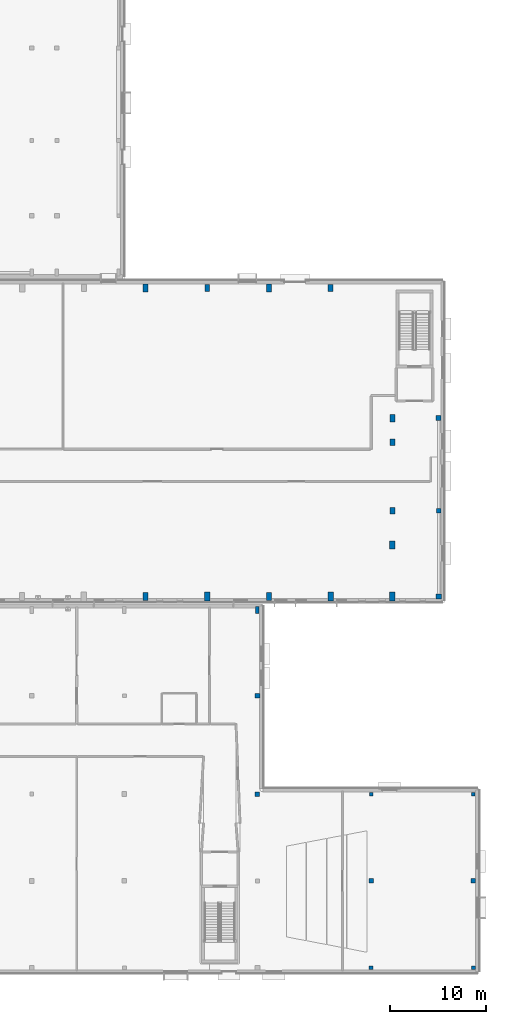
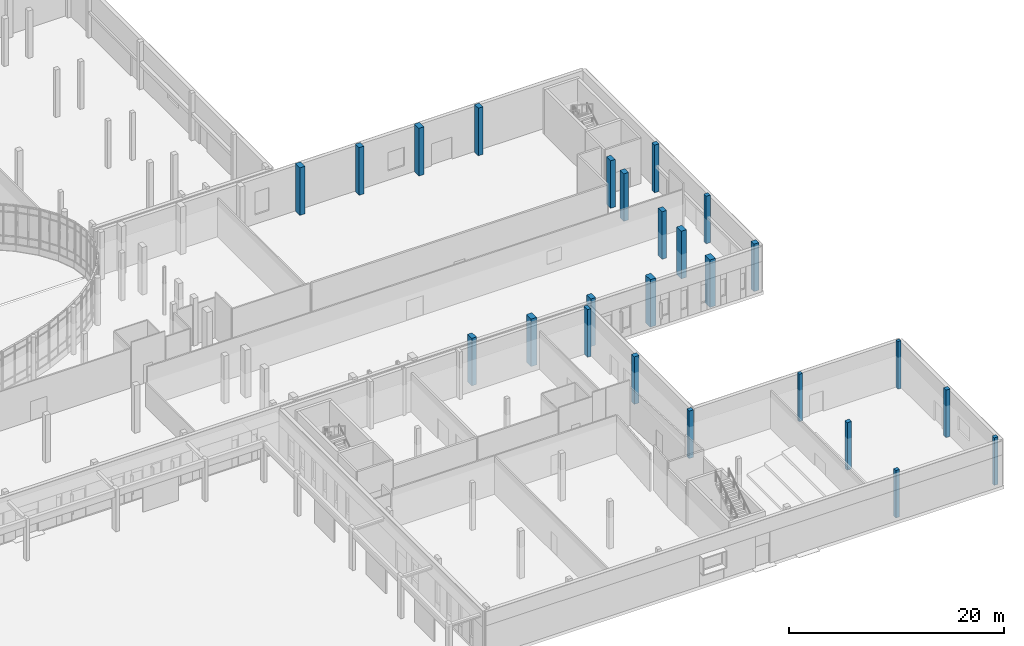
# One storey, part 8 of 84: 25 columns.
"""IFC4 building model written with IfcOpenShell, lengths in metres."""

from ifc_helpers import new_model, si_unit, direction, frame, origin, origin_2d, place, context, subcontext, project, spatial, rectangle, extrude, material, material_profile, profile_set, type_object, element, save


model = new_model("IFC4")

# Units and contexts
model_context = context("Model", 3, precision=1e-05, world=origin(), true_north=direction((0.0, 1.0)))
body_context = subcontext(model_context, "Body", "Model", "MODEL_VIEW")
ifc_project = project(units=[si_unit("LENGTHUNIT", "METRE"), si_unit("AREAUNIT", "SQUARE_METRE"), si_unit("VOLUMEUNIT", "CUBIC_METRE"), si_unit("PLANEANGLEUNIT", "RADIAN"), si_unit("MASSUNIT", "GRAM", prefix="KILO")], contexts=[model_context])

# Site, building, storey
site_placement = place(None, origin())
site = spatial("IfcSite", under=ifc_project, at=site_placement, CompositionType="ELEMENT")
building_placement = place(site_placement, origin())
building = spatial("IfcBuilding", under=site, at=building_placement, Name="Mzevani Central Library", CompositionType="ELEMENT")
storey_placement = place(building_placement, origin())
storey = spatial("IfcBuildingStorey", under=building, at=storey_placement, Name="L00", CompositionType="ELEMENT", Elevation=0.0)

# Columns
ifc_material = material(Name="Concrete C40/50", Category="concrete")
ifc_material_profile_1 = material_profile(ifc_material, rectangle(XDim=0.35009765625, YDim=0.35009765625, at=origin_2d()), Name="RC 350x350")
ifc_profile_set_1 = profile_set([ifc_material_profile_1], Name="Concrete C40/50")
column_type_1 = type_object("IfcColumnType", Name="Column RC 350x350", PredefinedType="COLUMN", material=ifc_profile_set_1)
for number, where, z_axis, x_axis, name in (
    (1, (156.800048828125, 22.60009765625, 0.0), (0.0, 0.0, 1.0), (1.0, 0.0, 0.0), "L00 V6 Column C-01 (231)"),
    (2, (167.39990234375, 22.60009765625, 0.0), (0.0, 0.0, 1.0), (1.0, 0.0, 0.0), "L00 V6 Column C-01 (234)"),
):
    element("IfcColumn", number, at=place(storey_placement, frame(where, z_axis=z_axis, x_axis=x_axis)), inside=storey, type_object=column_type_1, Name=name, PredefinedType="COLUMN", context=body_context, shape_type="SweptSolid", body=[
        extrude(rectangle(XDim=0.35009765625, YDim=0.35009765625, at=origin_2d()), origin(), (0.0, 0.0, 1.0), 5.39990234375),
    ])
ifc_material_profile_2 = material_profile(ifc_material, rectangle(XDim=0.39990234375, YDim=0.39990234375, at=origin_2d()), Name="RC 400x400")
ifc_profile_set_2 = profile_set([ifc_material_profile_2], Name="Concrete C40/50")
column_type_2 = type_object("IfcColumnType", Name="Column RC 400x400", PredefinedType="COLUMN", material=ifc_profile_set_2)
for number, where, z_axis, x_axis, name in (
    (3, (156.800048828125, 4.60009765625, 0.0), (0.0, 0.0, 1.0), (1.0, 0.0, 0.0), "L00 V6 Column C-02 (229)"),
    (4, (167.39990234375, 4.60009765625, 0.0), (0.0, 0.0, 1.0), (1.0, 0.0, 0.0), "L00 V6 Column C-02 (232)"),
):
    element("IfcColumn", number, at=place(storey_placement, frame(where, z_axis=z_axis, x_axis=x_axis)), inside=storey, type_object=column_type_2, Name=name, PredefinedType="COLUMN", context=body_context, shape_type="SweptSolid", body=[
        extrude(rectangle(XDim=0.39990234375, YDim=0.39990234375, at=origin_2d()), origin(), (0.0, 0.0, 1.0), 5.39990234375),
    ])
ifc_material_profile_3 = material_profile(ifc_material, rectangle(XDim=0.449951171875, YDim=0.449951171875, at=origin_2d()), Name="RC 450x450")
ifc_profile_set_3 = profile_set([ifc_material_profile_3], Name="Concrete C40/50")
column_type_3 = type_object("IfcColumnType", Name="Column RC 450x450", PredefinedType="COLUMN", material=ifc_profile_set_3)
for number, where, z_axis, x_axis, name in (
    (5, (163.800048828125, 52.0, 0.0), (0.0, 0.0, 1.0), (1.0, 0.0, 0.0), "L00 V1 Column C-03 (36)"),
    (6, (145.0, 22.60009765625, 0.0), (0.0, 0.0, 1.0), (1.0, 0.0, 0.0), "L00 V6 Column C-03 (226)"),
    (7, (156.800048828125, 13.60009765625, 0.0), (0.0, 0.0, 1.0), (1.0, 0.0, 0.0), "L00 V6 Column C-03 (230)"),
    (8, (167.39990234375, 13.60009765625, 0.0), (0.0, 0.0, 1.0), (1.0, 0.0, 0.0), "L00 V6 Column C-03 (233)"),
):
    element("IfcColumn", number, at=place(storey_placement, frame(where, z_axis=z_axis, x_axis=x_axis)), inside=storey, type_object=column_type_3, Name=name, PredefinedType="COLUMN", context=body_context, shape_type="SweptSolid", body=[
        extrude(rectangle(XDim=0.449951171875, YDim=0.449951171875, at=origin_2d()), origin(), (0.0, 0.0, 1.0), 5.39990234375),
    ])
ifc_material_profile_4 = material_profile(ifc_material, rectangle(XDim=0.5, YDim=0.5, at=origin_2d()), Name="RC 500x500")
ifc_profile_set_4 = profile_set([ifc_material_profile_4], Name="Concrete C40/50")
column_type_4 = type_object("IfcColumnType", Name="Column RC 500x500", PredefinedType="COLUMN", material=ifc_profile_set_4)
for number, where, z_axis, x_axis, name in (
    (9, (163.800048828125, 61.60009765625, 0.0), (0.0, 0.0, 1.0), (1.0, 0.0, 0.0), "L00 V1 Column C-04 (37)"),
    (10, (145.0, 32.800048828125, 0.0), (0.0, 0.0, 1.0), (1.0, 0.0, 0.0), "L00 V6 Column C-04 (227)"),
):
    element("IfcColumn", number, at=place(storey_placement, frame(where, z_axis=z_axis, x_axis=x_axis)), inside=storey, type_object=column_type_4, Name=name, PredefinedType="COLUMN", context=body_context, shape_type="SweptSolid", body=[
        extrude(rectangle(XDim=0.5, YDim=0.5, at=origin_2d()), origin(), (0.0, 0.0, 1.0), 5.39990234375),
    ])
ifc_material_profile_5 = material_profile(ifc_material, rectangle(XDim=0.5, YDim=0.699951171875, at=origin_2d()), Name="RC 500x700")
ifc_profile_set_5 = profile_set([ifc_material_profile_5], Name="Concrete C40/50")
column_type_5 = type_object("IfcColumnType", Name="Column RC 500x700", PredefinedType="COLUMN", material=ifc_profile_set_5)
for number, where, z_axis, x_axis, name in (
    (11, (159.0, 52.0, 0.0), (0.0, 0.0, 1.0), (1.0, 0.0, 0.0), "L00 V1 Column C-14 (33)"),
    (12, (139.800048828125, 75.10009765625, 0.0), (0.0, 0.0, 1.0), (1.0, 0.0, 0.0), "L00 V1 Column C-14 (45)"),
    (13, (152.60009765625, 75.10009765625, 0.0), (0.0, 0.0, 1.0), (1.0, 0.0, 0.0), "L00 V1 Column C-14 (49)"),
    (14, (159.0, 59.10009765625, 0.0), (0.0, 0.0, 1.0), (1.0, 0.0, 0.0), "L00 V1 Column C-14 (53)"),
):
    element("IfcColumn", number, at=place(storey_placement, frame(where, z_axis=z_axis, x_axis=x_axis)), inside=storey, type_object=column_type_5, Name=name, PredefinedType="COLUMN", context=body_context, shape_type="SweptSolid", body=[
        extrude(rectangle(XDim=0.5, YDim=0.699951171875, at=origin_2d()), origin(), (0.0, 0.0, 1.0), 5.39990234375),
    ])
ifc_material_profile_6 = material_profile(ifc_material, rectangle(XDim=0.5, YDim=0.800048828125, at=origin_2d()), Name="RC 500x800")
ifc_profile_set_6 = profile_set([ifc_material_profile_6], Name="Concrete C40/50")
column_type_6 = type_object("IfcColumnType", Name="Column RC 500x800", PredefinedType="COLUMN", material=ifc_profile_set_6)
for number, where, z_axis, x_axis, name in (
    (15, (159.0, 61.60009765625, 0.0), (0.0, 0.0, 1.0), (1.0, 0.0, 0.0), "L00 V1 Column C-15 (34)"),
    (16, (133.39990234375, 43.10009765625, 0.0), (0.0, 0.0, 1.0), (1.0, 0.0, 0.0), "L00 V1 Column C-15 (42)"),
    (17, (146.199951171875, 43.10009765625, 0.0), (0.0, 0.0, 1.0), (1.0, 0.0, 0.0), "L00 V1 Column C-15 (46)"),
):
    element("IfcColumn", number, at=place(storey_placement, frame(where, z_axis=z_axis, x_axis=x_axis)), inside=storey, type_object=column_type_6, Name=name, PredefinedType="COLUMN", context=body_context, shape_type="SweptSolid", body=[
        extrude(rectangle(XDim=0.5, YDim=0.800048828125, at=origin_2d()), origin(), (0.0, 0.0, 1.0), 5.39990234375),
    ])
ifc_material_profile_7 = material_profile(ifc_material, rectangle(XDim=0.550048828125, YDim=0.550048828125, at=origin_2d()), Name="RC 550x550")
ifc_profile_set_7 = profile_set([ifc_material_profile_7], Name="Concrete C40/50")
column_type_7 = type_object("IfcColumnType", Name="Column RC 550x550", PredefinedType="COLUMN", material=ifc_profile_set_7)
column_1_placement = place(storey_placement, frame((163.800048828125, 43.10009765625, 0.0), z_axis=(0.0, 0.0, 1.0), x_axis=(1.0, 0.0, 0.0)))
element("IfcColumn", 18, at=column_1_placement, inside=storey, type_object=column_type_7, Name="L00 V1 Column C-05 (35)", PredefinedType="COLUMN", context=body_context, shape_type="SweptSolid", body=[
    extrude(rectangle(XDim=0.550048828125, YDim=0.550048828125, at=origin_2d()), origin(), (0.0, 0.0, 1.0), 5.39990234375),
])
ifc_material_profile_8 = material_profile(ifc_material, rectangle(XDim=0.550048828125, YDim=0.85009765625, at=origin_2d()), Name="RC 550x850")
ifc_profile_set_8 = profile_set([ifc_material_profile_8], Name="Concrete C40/50")
column_type_8 = type_object("IfcColumnType", Name="Column RC 550x850", PredefinedType="COLUMN", material=ifc_profile_set_8)
for number, where, z_axis, x_axis, name in (
    (19, (133.39990234375, 75.10009765625, 0.0), (0.0, 0.0, 1.0), (1.0, 0.0, 0.0), "L00 V1 Column C-16 (43)"),
    (20, (146.199951171875, 75.10009765625, 0.0), (0.0, 0.0, 1.0), (1.0, 0.0, 0.0), "L00 V1 Column C-16 (47)"),
    (21, (159.0, 48.43310546875, 0.0), (0.0, 0.0, 1.0), (1.0, 0.0, 0.0), "L00 V1 Column C-16 (51)"),
):
    element("IfcColumn", number, at=place(storey_placement, frame(where, z_axis=z_axis, x_axis=x_axis)), inside=storey, type_object=column_type_8, Name=name, PredefinedType="COLUMN", context=body_context, shape_type="SweptSolid", body=[
        extrude(rectangle(XDim=0.550048828125, YDim=0.85009765625, at=origin_2d()), origin(), (0.0, 0.0, 1.0), 5.39990234375),
    ])
ifc_material_profile_9 = material_profile(ifc_material, rectangle(XDim=0.60009765625, YDim=0.89990234375, at=origin_2d()), Name="RC 600x900")
ifc_profile_set_9 = profile_set([ifc_material_profile_9], Name="Concrete C40/50")
column_type_9 = type_object("IfcColumnType", Name="Column RC 600x900", PredefinedType="COLUMN", material=ifc_profile_set_9)
for number, where, z_axis, x_axis, name in (
    (22, (159.0, 43.10009765625, 0.0), (0.0, 0.0, 1.0), (1.0, 0.0, 0.0), "L00 V1 Column C-17 (32)"),
    (23, (139.800048828125, 43.10009765625, 0.0), (0.0, 0.0, 1.0), (1.0, 0.0, 0.0), "L00 V1 Column C-17 (44)"),
    (24, (152.60009765625, 43.10009765625, 0.0), (0.0, 0.0, 1.0), (1.0, 0.0, 0.0), "L00 V1 Column C-17 (48)"),
):
    element("IfcColumn", number, at=place(storey_placement, frame(where, z_axis=z_axis, x_axis=x_axis)), inside=storey, type_object=column_type_9, Name=name, PredefinedType="COLUMN", context=body_context, shape_type="SweptSolid", body=[
        extrude(rectangle(XDim=0.60009765625, YDim=0.89990234375, at=origin_2d()), origin(), (0.0, 0.0, 1.0), 5.39990234375),
    ])
ifc_material_profile_10 = material_profile(ifc_material, rectangle(XDim=0.35009765625, YDim=0.699951171875, at=origin_2d()), Name="RC 350x700")
ifc_profile_set_10 = profile_set([ifc_material_profile_10], Name="Concrete C40/50")
column_type_10 = type_object("IfcColumnType", Name="Joint Twin Column RC 350x700", PredefinedType="COLUMN", material=ifc_profile_set_10)
column_2_placement = place(storey_placement, frame((145.0, 41.699951171875, 0.0), z_axis=(0.0, 0.0, 1.0), x_axis=(1.0, 0.0, 0.0)))
element("IfcColumn", 25, at=column_2_placement, inside=storey, type_object=column_type_10, Name="L00 V6 Column C-18 (228)", PredefinedType="COLUMN", context=body_context, shape_type="SweptSolid", body=[
    extrude(rectangle(XDim=0.35009765625, YDim=0.699951171875, at=origin_2d()), origin(), (0.0, 0.0, 1.0), 5.39990234375),
])

save(model, "model.ifc")
